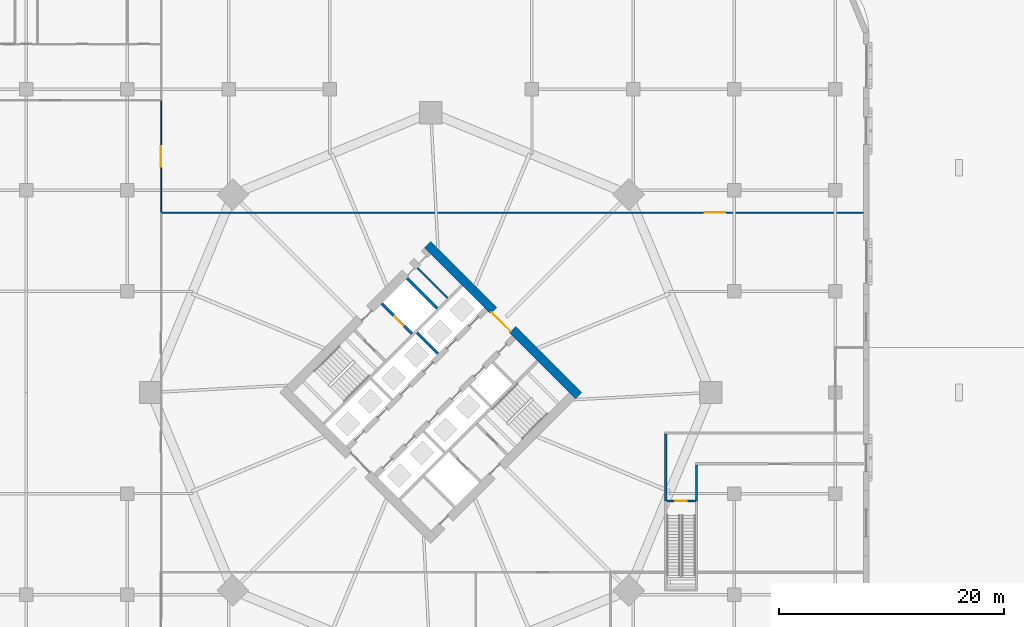
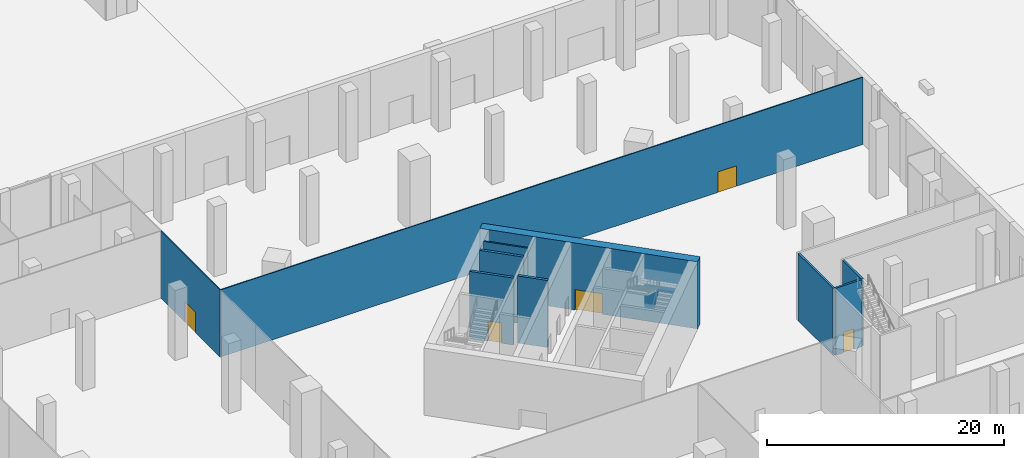
# One storey, part 30 of 48: 10 walls, 5 doors, 5 openings.
"""IFC4 building model written with IfcOpenShell, lengths in metres."""

from ifc_helpers import new_model, si_unit, direction, frame, frame_2d, origin, place, context, subcontext, project, spatial, rectangle, extrude, material, layer, layer_set, type_object, element, fill, save


model = new_model("IFC4")

# Units and contexts
model_context = context("Model", 3, precision=1e-05, world=origin(), true_north=direction((0.0, 1.0)))
body_context = subcontext(model_context, "Body", "Model", "MODEL_VIEW")
ifc_project = project(units=[si_unit("LENGTHUNIT", "METRE"), si_unit("AREAUNIT", "SQUARE_METRE"), si_unit("VOLUMEUNIT", "CUBIC_METRE"), si_unit("PLANEANGLEUNIT", "RADIAN"), si_unit("MASSUNIT", "GRAM", prefix="KILO")], contexts=[model_context])

# Site, building, storey
site_placement = place(None, origin())
site = spatial("IfcSite", under=ifc_project, at=site_placement, CompositionType="ELEMENT")
building_placement = place(site_placement, origin())
building = spatial("IfcBuilding", under=site, at=building_placement, Name="Ogive Gate Towers", CompositionType="ELEMENT")
storey_placement = place(building_placement, origin())
storey = spatial("IfcBuildingStorey", under=building, at=storey_placement, Name="L00", CompositionType="ELEMENT", Elevation=0.0)

# Wall, opening, door
ifc_material_1 = material(Name="Concrete C60/75", Category="concrete")
ifc_layer_1 = layer(ifc_material_1, 0.800048828125)
ifc_layer_set_1 = layer_set([ifc_layer_1], Name="Core wall 800 mm")
wall_type_1 = type_object("IfcWallType", Name="Core wall 800 mm", PredefinedType="SHEAR", material=ifc_layer_set_1)
wall_1_placement = place(storey_placement, frame((49.152099609375, -0.28271484375, 0.0), z_axis=(0.0, 0.0, 1.0), x_axis=(-0.707106781187, 0.707106781187, 0.0)))
wall_1 = element("IfcWall", 1, at=wall_1_placement, inside=storey, type_object=wall_type_1, Name="T2 L00 Core wall 800 mm", PredefinedType="SHEAR", context=body_context, shape_type="SweptSolid", body=[
    extrude(rectangle(XDim=18.999755859375, YDim=0.800048828125, at=frame_2d((9.5, 0.0))), origin(), (0.0, 0.0, 1.0), 6.89990234375),
])
opening_1_placement = place(wall_1_placement, frame((8.300048828125, 0.0, 0.0)))
opening_1 = element("IfcOpeningElement", 2, at=opening_1_placement, cuts=wall_1, Name="Opening KD-T2-L00-02", PredefinedType="OPENING", context=body_context, shape_type="SweptSolid", body=[
    extrude(rectangle(XDim=2.39990234375, YDim=2.10009765625, at=frame_2d((1.199951171875, 1.050048828125))), frame((0.0, 0.41015625, 0.0), z_axis=(0.0, -1.0, 0.0), x_axis=(1.0, 0.0, 0.0)), (0.0, 0.0, 1.0), 0.820068359375),
])
ifc_material_2 = material(Name="Steel fire door", Category="steel")
door_type_1 = type_object("IfcDoorType", Name="Core double door FD60S 2400 x 2100", OperationType="DOUBLE_DOOR_SINGLE_SWING", PredefinedType="DOOR", material=ifc_material_2)
door_1_placement = place(opening_1_placement, origin())
door_1 = element("IfcDoor", 3, at=door_1_placement, inside=storey, type_object=door_type_1, Name="T2 L00 Core door double", OperationType="DOUBLE_DOOR_SINGLE_SWING", OverallHeight=2.10009765625, OverallWidth=2.39990234375, PredefinedType="DOOR", context=body_context, shape_type="SweptSolid", body=[
    extrude(rectangle(XDim=2.39990234375, YDim=2.10009765625, at=frame_2d((1.199951171875, 1.050048828125))), frame((0.0, 0.27490234375, 0.0), z_axis=(0.0, -1.0, 0.0), x_axis=(1.0, 0.0, 0.0)), (0.0, 0.0, 1.0), 0.050048828125),
])
fill(opening_1, door_1)

ifc_material_3 = material(Name="Gypsum board partition")
ifc_layer_2 = layer(ifc_material_3, 0.10009765625)
ifc_layer_set_2 = layer_set([ifc_layer_2], Name="Partition wall 100")
wall_type_2 = type_object("IfcWallType", Name="Partition wall 100", PredefinedType="PARTITIONING", material=ifc_layer_set_2)
wall_2_placement = place(storey_placement, frame((12.0, 16.0, 0.0), z_axis=(0.0, 0.0, 1.0), x_axis=(0.0, 1.0, 0.0)))
wall_2 = element("IfcWall", 4, at=wall_2_placement, inside=storey, type_object=wall_type_2, Name="L00 partition 026", PredefinedType="PARTITIONING", context=body_context, shape_type="SweptSolid", body=[
    extrude(rectangle(XDim=10.0, YDim=0.10009765625, at=frame_2d((5.0, 0.0))), origin(), (0.0, 0.0, 1.0), 6.89990234375),
])
opening_2_placement = place(wall_2_placement, frame((4.10009765625, 0.0, 0.0)))
opening_2 = element("IfcOpeningElement", 5, at=opening_2_placement, cuts=wall_2, Name="Opening PO116", PredefinedType="OPENING", context=body_context, shape_type="SweptSolid", body=[
    extrude(rectangle(XDim=1.800048828125, YDim=2.10009765625, at=frame_2d((0.89990234375, 1.050048828125))), frame((0.0, 0.06005859375, 0.0), z_axis=(0.0, -1.0, 0.0), x_axis=(1.0, 0.0, 0.0)), (0.0, 0.0, 1.0), 0.1201171875),
])
ifc_material_4 = material(Name="Timber door", Category="wood")
door_type_2 = type_object("IfcDoorType", Name="Double door 1800 x 2100", OperationType="NOTDEFINED", PredefinedType="DOOR", material=ifc_material_4)
door_2_placement = place(opening_2_placement, origin())
door_2 = element("IfcDoor", 6, at=door_2_placement, inside=storey, type_object=door_type_2, Name="Door PO116", OperationType="DOUBLE_DOOR_DOUBLE_SWING", OverallHeight=2.10009765625, OverallWidth=1.800048828125, PredefinedType="DOOR", context=body_context, shape_type="SweptSolid", body=[
    extrude(rectangle(XDim=1.800048828125, YDim=2.10009765625, at=frame_2d((0.89990234375, 1.050048828125))), frame((0.0, 0.02490234375, 0.0), z_axis=(0.0, -1.0, 0.0), x_axis=(1.0, 0.0, 0.0)), (0.0, 0.0, 1.0), 0.050048828125),
])
fill(opening_2, door_2)

wall_3_placement = place(storey_placement, frame((12.050048828125, 16.0, 0.0), z_axis=(0.0, 0.0, 1.0), x_axis=(1.0, 0.0, 0.0)))
wall_3 = element("IfcWall", 7, at=wall_3_placement, inside=storey, type_object=wall_type_2, Name="L00 partition 053", PredefinedType="PARTITIONING", context=body_context, shape_type="SweptSolid", body=[
    extrude(rectangle(XDim=62.449951171875, YDim=0.10009765625, at=frame_2d((31.22509765625, 0.0))), origin(), (0.0, 0.0, 1.0), 6.89990234375),
])
opening_3_placement = place(wall_3_placement, frame((48.340087890625, 0.0, 0.0)))
opening_3 = element("IfcOpeningElement", 8, at=opening_3_placement, cuts=wall_3, Name="Opening PO117", PredefinedType="OPENING", context=body_context, shape_type="SweptSolid", body=[
    extrude(rectangle(XDim=1.800048828125, YDim=2.10009765625, at=frame_2d((0.89990234375, 1.050048828125))), frame((0.0, 0.06005859375, 0.0), z_axis=(0.0, -1.0, 0.0), x_axis=(1.0, 0.0, 0.0)), (0.0, 0.0, 1.0), 0.1201171875),
])
door_3_placement = place(opening_3_placement, origin())
door_3 = element("IfcDoor", 9, at=door_3_placement, inside=storey, type_object=door_type_2, Name="Door PO117", OperationType="DOUBLE_DOOR_DOUBLE_SWING", OverallHeight=2.10009765625, OverallWidth=1.800048828125, PredefinedType="DOOR", context=body_context, shape_type="SweptSolid", body=[
    extrude(rectangle(XDim=1.800048828125, YDim=2.10009765625, at=frame_2d((0.89990234375, 1.050048828125))), frame((0.0, 0.02490234375, 0.0), z_axis=(0.0, -1.0, 0.0), x_axis=(1.0, 0.0, 0.0)), (0.0, 0.0, 1.0), 0.050048828125),
])
fill(opening_3, door_3)

# Walls
ifc_material_5 = material(Name="Masonry block wall", Category="masonry")
ifc_layer_3 = layer(ifc_material_5, 0.199951171875)
ifc_layer_set_3 = layer_set([ifc_layer_3], Name="Partition wall 200")
wall_type_3 = type_object("IfcWallType", Name="Partition wall 200", PredefinedType="PARTITIONING", material=ifc_layer_set_3)
wall_4_placement = place(storey_placement, frame((56.89990234375, -9.64990234375, 0.0), z_axis=(0.0, 0.0, 1.0), x_axis=(0.0, 1.0, 0.0)))
element("IfcWall", 10, at=wall_4_placement, inside=storey, type_object=wall_type_3, Name="L00 partition 020", PredefinedType="PARTITIONING", context=body_context, shape_type="SweptSolid", body=[
    extrude(rectangle(XDim=5.949951171875, YDim=0.199951171875, at=frame_2d((2.97509765625, 0.0))), origin(), (0.0, 0.0, 1.0), 6.89990234375),
])
wall_5_placement = place(storey_placement, frame((59.64990234375, -9.64990234375, 0.0), z_axis=(0.0, 0.0, 1.0), x_axis=(0.0, 1.0, 0.0)))
element("IfcWall", 11, at=wall_5_placement, inside=storey, type_object=wall_type_3, Name="L00 partition 022", PredefinedType="PARTITIONING", context=body_context, shape_type="SweptSolid", body=[
    extrude(rectangle(XDim=3.199951171875, YDim=0.199951171875, at=frame_2d((1.60009765625, 0.0))), origin(), (0.0, 0.0, 1.0), 6.89990234375),
])
ifc_layer_4 = layer(ifc_material_3, 0.14990234375)
ifc_layer_set_4 = layer_set([ifc_layer_4], Name="Room partition 150 mm")
wall_type_4 = type_object("IfcWallType", Name="Room partition 150 mm", PredefinedType="PARTITIONING", material=ifc_layer_set_4)
wall_6_placement = place(storey_placement, frame((37.502685546875, 8.39697265625, 0.0), z_axis=(0.0, 0.0, 1.0), x_axis=(-0.707138693938, 0.707074866995, 0.0)))
element("IfcWall", 12, at=wall_6_placement, inside=storey, type_object=wall_type_4, Name="T2 L00 Room partition 150 mm", PredefinedType="PARTITIONING", context=body_context, shape_type="SweptSolid", body=[
    extrude(rectangle(XDim=3.824951171875, YDim=0.14990234375, at=frame_2d((1.91259765625, 0.0))), origin(), (0.0, 0.0, 1.0), 6.89990234375),
])

# Wall, opening, door
ifc_layer_5 = layer(ifc_material_1, 0.25)
ifc_layer_set_5 = layer_set([ifc_layer_5], Name="Shaft wall 250 mm")
wall_type_5 = type_object("IfcWallType", Name="Shaft wall 250 mm", PredefinedType="SHEAR", material=ifc_layer_set_5)
wall_7_placement = place(storey_placement, frame((34.320556640625, 5.21484375, 0.0), z_axis=(0.0, 0.0, 1.0), x_axis=(-0.707074866995, 0.707138693938, 0.0)))
wall_7 = element("IfcWall", 13, at=wall_7_placement, inside=storey, type_object=wall_type_5, Name="T2 L00 Shaft wall 250 mm", PredefinedType="SHEAR", context=body_context, shape_type="SweptSolid", body=[
    extrude(rectangle(XDim=3.824951171875, YDim=0.25, at=frame_2d((1.91259765625, 0.0))), origin(), (0.0, 0.0, 1.0), 6.89990234375),
])
opening_4_placement = place(wall_7_placement, frame((1.02490234375, 0.0, 0.0)))
opening_4 = element("IfcOpeningElement", 14, at=opening_4_placement, cuts=wall_7, Name="Opening LD-T2-L00-14", PredefinedType="OPENING", context=body_context, shape_type="SweptSolid", body=[
    extrude(rectangle(XDim=1.199951171875, YDim=2.10009765625, at=frame_2d((0.60009765625, 1.050048828125))), frame((0.0, 0.135009765625, 0.0), z_axis=(0.0, -1.0, 0.0), x_axis=(1.0, 0.0, 0.0)), (0.0, 0.0, 1.0), 0.27001953125),
])
ifc_material_6 = material(Name="Stainless steel landing door", Category="steel")
door_type_3 = type_object("IfcDoorType", Name="Landing door 1200 x 2100", OperationType="SLIDING_TO_LEFT", PredefinedType="DOOR", material=ifc_material_6)
door_4_placement = place(opening_4_placement, origin())
door_4 = element("IfcDoor", 15, at=door_4_placement, inside=storey, type_object=door_type_3, Name="T2 L00 Lift landing door FF1", OperationType="SLIDING_TO_LEFT", OverallHeight=2.10009765625, OverallWidth=1.199951171875, PredefinedType="DOOR", context=body_context, shape_type="SweptSolid", body=[
    extrude(rectangle(XDim=1.199951171875, YDim=2.10009765625, at=frame_2d((0.60009765625, 1.050048828125))), frame((0.0, 0.02490234375, 0.0), z_axis=(0.0, -1.0, 0.0), x_axis=(1.0, 0.0, 0.0)), (0.0, 0.0, 1.0), 0.050048828125),
])
fill(opening_4, door_4)

# Walls
wall_8_placement = place(storey_placement, frame((36.636474609375, 3.46484375, 0.0), z_axis=(0.0, 0.0, 1.0), x_axis=(-0.707106781187, 0.707106781187, 0.0)))
element("IfcWall", 16, at=wall_8_placement, inside=storey, type_object=wall_type_5, Name="T2 L00 Shaft wall 250 mm", PredefinedType="SHEAR", context=body_context, shape_type="SweptSolid", body=[
    extrude(rectangle(XDim=2.625, YDim=0.25, at=frame_2d((1.3125, 0.0))), origin(), (0.0, 0.0, 1.0), 6.89990234375),
])
wall_9_placement = place(storey_placement, frame((36.58349609375, 7.477783203125, 0.0), z_axis=(0.0, 0.0, 1.0), x_axis=(-0.707138693938, 0.707074866995, 0.0)))
element("IfcWall", 17, at=wall_9_placement, inside=storey, type_object=wall_type_5, Name="T2 L00 Shaft wall 250 mm", PredefinedType="SHEAR", context=body_context, shape_type="SweptSolid", body=[
    extrude(rectangle(XDim=3.824951171875, YDim=0.25, at=frame_2d((1.91259765625, 0.0))), origin(), (0.0, 0.0, 1.0), 6.89990234375),
])

# Wall, opening, door
ifc_material_7 = material(Name="Reinforced concrete C32/40", Category="concrete")
ifc_layer_6 = layer(ifc_material_7, 0.199951171875)
ifc_layer_set_6 = layer_set([ifc_layer_6], Name="Stair shaft wall 200")
wall_type_6 = type_object("IfcWallType", Name="Stair shaft wall 200", PredefinedType="SOLIDWALL", material=ifc_layer_set_6)
wall_10_placement = place(storey_placement, frame((57.0, -9.64990234375, 0.0), z_axis=(0.0, 0.0, 1.0), x_axis=(1.0, 0.0, 0.0)))
wall_10 = element("IfcWall", 18, at=wall_10_placement, inside=storey, type_object=wall_type_6, Name="L00 stair shaft wall 007", PredefinedType="SOLIDWALL", context=body_context, shape_type="SweptSolid", body=[
    extrude(rectangle(XDim=2.550048828125, YDim=0.199951171875, at=frame_2d((1.27490234375, 0.0))), origin(), (0.0, 0.0, 1.0), 6.89990234375),
])
opening_5_placement = place(wall_10_placement, frame((0.77490234375, 0.0, 0.0)))
opening_5 = element("IfcOpeningElement", 19, at=opening_5_placement, cuts=wall_10, Name="Opening PO102", PredefinedType="OPENING", context=body_context, shape_type="SweptSolid", body=[
    extrude(rectangle(XDim=1.0, YDim=2.10009765625, at=frame_2d((0.5, 1.050048828125))), frame((0.0, 0.10986328125, 0.0), z_axis=(0.0, -1.0, 0.0), x_axis=(1.0, 0.0, 0.0)), (0.0, 0.0, 1.0), 0.219970703125),
])
door_type_4 = type_object("IfcDoorType", Name="Interior fire door FD120S 1000 x 2100", OperationType="NOTDEFINED", PredefinedType="DOOR", material=ifc_material_2)
door_5_placement = place(opening_5_placement, origin())
door_5 = element("IfcDoor", 20, at=door_5_placement, inside=storey, type_object=door_type_4, Name="Door PO102", OperationType="SINGLE_SWING_RIGHT", OverallHeight=2.10009765625, OverallWidth=1.0, PredefinedType="DOOR", context=body_context, shape_type="SweptSolid", body=[
    extrude(rectangle(XDim=1.0, YDim=2.10009765625, at=frame_2d((0.5, 1.050048828125))), frame((0.0, 0.02490234375, 0.0), z_axis=(0.0, -1.0, 0.0), x_axis=(1.0, 0.0, 0.0)), (0.0, 0.0, 1.0), 0.050048828125),
])
fill(opening_5, door_5)

save(model, "model.ifc")
